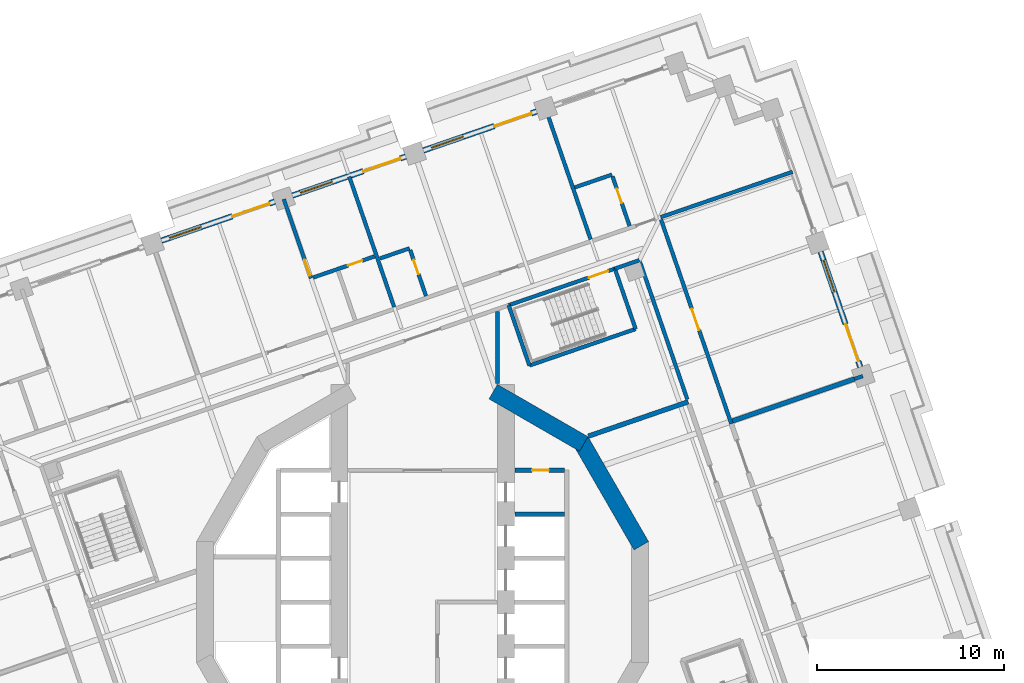
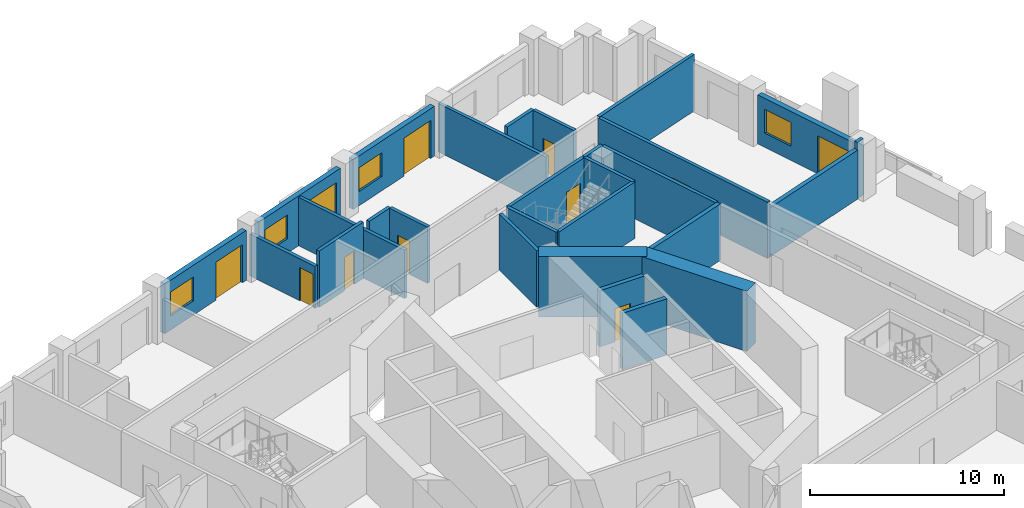
# One storey, part 9 of 19: 28 walls, 11 doors, 4 windows, 15 openings.
"""IFC4 building model written with IfcOpenShell, lengths in metres."""

import ifcopenshell
import ifcopenshell.guid

model = None  # the IFC model being written
_history = None  # IfcOwnerHistory: only IFC2X3 demands one
_inside = {}  # id of a spatial element -> (the spatial element, [elements in it])
_under = {}  # id of a project, library or spatial element -> (it, [spatial elements below it])
_declared = {}  # id of a project -> (the project, [libraries it declares])
_typed = {}  # id of a type object -> (the type object, [elements of that type])
_made_of = {}  # id of a material, layer set ... -> (it, [elements and type objects made of it])


def new_model(schema):
    """Start an empty IFC model of exactly this schema.

    Asked for "IFC4X3", IfcOpenShell would pick the latest addendum, in which some entities
    have other attributes; the version numbers below select the first issue.
    IFC2X3 requires an IfcOwnerHistory on every rooted entity: one is made here for all.
    """
    global model, _history
    if schema == "IFC4X3":
        model = ifcopenshell.file(schema_version=(4, 3, 0, 0))
    else:
        model = ifcopenshell.file(schema=schema)
    _inside.clear()
    _under.clear()
    _declared.clear()
    _typed.clear()
    _made_of.clear()
    _history = None
    if model.schema == "IFC2X3":
        org = make("IfcOrganization", Name="unknown")
        user = make(
            "IfcPersonAndOrganization",
            ThePerson=make("IfcPerson", FamilyName="unknown"),
            TheOrganization=org,
        )
        app = make(
            "IfcApplication",
            ApplicationDeveloper=org,
            Version="unknown",
            ApplicationFullName="unknown",
            ApplicationIdentifier="unknown",
        )
        _history = make(
            "IfcOwnerHistory",
            OwningUser=user,
            OwningApplication=app,
            ChangeAction="ADDED",
            CreationDate=0,
        )
    return model


def make(cls, **values):
    """One entity of the class cls with the attributes given. An attribute that is None is left unset."""
    return model.create_entity(
        cls, **{name: value for name, value in values.items() if value is not None}
    )


def rooted(cls, **values):
    """An entity with a GlobalId (a new one), such as an element, a storey or a relation."""
    return make(cls, GlobalId=ifcopenshell.guid.new(), OwnerHistory=_history, **values)


def si_unit(unit_type, name, prefix=None):
    """IfcSIUnit, for example si_unit("LENGTHUNIT", "METRE", prefix="MILLI")."""
    return make("IfcSIUnit", UnitType=unit_type, Prefix=prefix, Name=name)


def assignment(units):
    """IfcUnitAssignment: the units of a project."""
    return None if units is None else make("IfcUnitAssignment", Units=units)


def point(xyz):
    """IfcCartesianPoint."""
    return None if xyz is None else make("IfcCartesianPoint", Coordinates=xyz)


def direction(xyz):
    """IfcDirection."""
    return None if xyz is None else make("IfcDirection", DirectionRatios=xyz)


def frame(location, z_axis=None, x_axis=None):
    """IfcAxis2Placement3D, a coordinate frame: its origin and axes. An axis left out is left unset."""
    return make(
        "IfcAxis2Placement3D",
        Location=point(location),
        Axis=direction(z_axis),
        RefDirection=direction(x_axis),
    )


def frame_2d(location, x_axis=None):
    """IfcAxis2Placement2D, a coordinate frame in the plane: its origin and x axis."""
    return make(
        "IfcAxis2Placement2D", Location=point(location), RefDirection=direction(x_axis)
    )


def origin():
    """The frame at (0, 0, 0) with its axes left unset."""
    return frame((0.0, 0.0, 0.0))


def place(relative_to, where):
    """IfcLocalPlacement: puts the frame where relative to a parent placement (None: the world)."""
    return make(
        "IfcLocalPlacement", PlacementRelTo=relative_to, RelativePlacement=where
    )


def context(
    kind, dimensions, precision=None, world=None, true_north=None, identifier=None
):
    """IfcGeometricRepresentationContext, for example the 3D "Model" context."""
    return make(
        "IfcGeometricRepresentationContext",
        ContextIdentifier=identifier,
        ContextType=kind,
        CoordinateSpaceDimension=dimensions,
        Precision=precision,
        WorldCoordinateSystem=world,
        TrueNorth=true_north,
    )


def subcontext(parent, identifier, kind, view, scale=None):
    """IfcGeometricRepresentationSubContext, for example "Body" below "Model"."""
    return make(
        "IfcGeometricRepresentationSubContext",
        ContextIdentifier=identifier,
        ContextType=kind,
        ParentContext=parent,
        TargetScale=scale,
        TargetView=view,
    )


def project(units=None, contexts=None):
    """IfcProject with its units and contexts."""
    return rooted(
        "IfcProject",
        Name="project",
        RepresentationContexts=contexts,
        UnitsInContext=assignment(units),
    )


def spatial(cls, under=None, at=None, **own):
    """A site, building, storey or space (cls), placed at a placement, below another one or the project."""
    s = rooted(cls, ObjectPlacement=at, **own)
    if under is not None:
        _under.setdefault(under.id(), (under, []))[1].append(s)
    return s


def profile(cls, at=None, kind="AREA", **sizes):
    """A parametric profile (cls). Its sizes go by their IFC names, for example OverallWidth=200.0."""
    return make(cls, ProfileType=kind, Position=at, **sizes)


def rectangle(**sizes):
    """IfcRectangleProfileDef."""
    return profile("IfcRectangleProfileDef", **sizes)


def extrude(swept, where, along, depth):
    """IfcExtrudedAreaSolid: the profile swept, set in the frame where, extruded along a direction by depth."""
    return make(
        "IfcExtrudedAreaSolid",
        SweptArea=swept,
        Position=where,
        ExtrudedDirection=direction(along),
        Depth=depth,
    )


def shape(context_of_items, identifier, shape_type, items):
    """IfcShapeRepresentation: the items that make up one representation, for example the "Body"."""
    return make(
        "IfcShapeRepresentation",
        ContextOfItems=context_of_items,
        RepresentationIdentifier=identifier,
        RepresentationType=shape_type,
        Items=items,
    )


def material(Name=None, Category=None):
    """IfcMaterial."""
    return make("IfcMaterial", Name=Name, Category=Category)


def layer(
    of_material, thickness, ventilated=None, Name=None, Category=None, Priority=None
):
    """IfcMaterialLayer: one layer of a wall or slab, of a material (None: an air gap)."""
    return make(
        "IfcMaterialLayer",
        Material=of_material,
        LayerThickness=thickness,
        IsVentilated=ventilated,
        Name=Name,
        Category=Category,
        Priority=Priority,
    )


def layer_set(layers, Name=None):
    """IfcMaterialLayerSet."""
    return make("IfcMaterialLayerSet", MaterialLayers=layers, LayerSetName=Name)


def made_of(thing, what):
    """Note that an element or type object is made of a material, layer set ...; save() writes the relation."""
    if what is not None:
        _made_of.setdefault(what.id(), (what, []))[1].append(thing)
    return thing


def type_object(cls, material=None, **own):
    """A type object (cls), such as IfcWallType, which elements share."""
    return made_of(rooted(cls, **own), material)


def element(
    cls,
    number,
    at=None,
    inside=None,
    cuts=None,
    type_object=None,
    material=None,
    context=None,
    identifier="Body",
    shape_type=None,
    held_by="IfcProductDefinitionShape",
    body=None,
    shapes=None,
    **own,
):
    """One element of the class cls, such as IfcWall. Its Tag is "e" and its number.

    at: its placement. inside: the storey or other place that contains it. cuts: it is an
    opening in that element (IfcRelVoidsElement). A single representation is given by context,
    identifier, shape_type and body (its items); several are given by shapes. held_by: the class
    of the entity that holds the representations. save() writes the other relations.
    """
    e = rooted(cls, Tag="e%d" % number, ObjectPlacement=at, **own)
    if body is not None:
        shapes = [shape(context, identifier, shape_type, body)]
    if shapes is not None:
        e.Representation = make(held_by, Representations=shapes)
    if inside is not None:
        _inside.setdefault(inside.id(), (inside, []))[1].append(e)
    if cuts is not None:
        rooted(
            "IfcRelVoidsElement", RelatingBuildingElement=cuts, RelatedOpeningElement=e
        )
    if type_object is not None:
        _typed.setdefault(type_object.id(), (type_object, []))[1].append(e)
    return made_of(e, material)


def fill(opening, filler):
    """IfcRelFillsElement: the door or window that sits in an opening."""
    return rooted(
        "IfcRelFillsElement",
        RelatingOpeningElement=opening,
        RelatedBuildingElement=filler,
    )


def aggregate(whole, parts):
    """IfcRelAggregates: a whole, such as a stair, and the parts it consists of."""
    return rooted("IfcRelAggregates", RelatingObject=whole, RelatedObjects=parts)


def save(model, path):
    """Write the relations noted so far, then the file.

    IfcRelAggregates (storeys below a building ...), IfcRelContainedInSpatialStructure (elements
    in a storey), IfcRelDefinesByType, IfcRelAssociatesMaterial and IfcRelDeclares: one each for
    every whole, place, type object, material and project.
    """
    for whole, parts in _under.values():
        aggregate(whole, parts)
    for where, things in _inside.values():
        rooted(
            "IfcRelContainedInSpatialStructure",
            RelatedElements=things,
            RelatingStructure=where,
        )
    for kind, things in _typed.values():
        rooted("IfcRelDefinesByType", RelatedObjects=things, RelatingType=kind)
    for what, things in _made_of.values():
        rooted("IfcRelAssociatesMaterial", RelatedObjects=things, RelatingMaterial=what)
    for by, libraries in _declared.values():
        rooted("IfcRelDeclares", RelatingContext=by, RelatedDefinitions=libraries)
    model.write(path)


model = new_model("IFC4")

# Units and contexts
model_context = context("Model", 3, precision=1e-05, world=origin(), true_north=direction((0.0, 1.0)))
body_context = subcontext(model_context, "Body", "Model", "MODEL_VIEW")
ifc_project = project(units=[si_unit("LENGTHUNIT", "METRE"), si_unit("AREAUNIT", "SQUARE_METRE"), si_unit("VOLUMEUNIT", "CUBIC_METRE"), si_unit("PLANEANGLEUNIT", "RADIAN"), si_unit("MASSUNIT", "GRAM", prefix="KILO")], contexts=[model_context])

# Site, building, storey
site_placement = place(None, origin())
site = spatial("IfcSite", under=ifc_project, at=site_placement, CompositionType="ELEMENT")
building_placement = place(site_placement, origin())
building = spatial("IfcBuilding", under=site, at=building_placement, Name="Cantera Rosa Tower", CompositionType="ELEMENT")
storey_placement = place(building_placement, frame((0.0, 0.0, 111.699951171875)))
storey = spatial("IfcBuildingStorey", under=building, at=storey_placement, Name="L22", CompositionType="ELEMENT", Elevation=111.699951171875)

# Walls
ifc_material_1 = material(Name="Gypsum board partition")
ifc_layer_1 = layer(ifc_material_1, 0.199951171875)
ifc_layer_set_1 = layer_set([ifc_layer_1], Name="CORRIDOR WALL 200 H3550")
wall_type_1 = type_object("IfcWallType", Name="CORRIDOR WALL 200 H3550", PredefinedType="PARTITIONING", material=ifc_layer_set_1)
wall_1_placement = place(storey_placement, frame((4.0, 15.51513671875, 0.0), z_axis=(0.0, 0.0, 1.0), x_axis=(0.0, -1.0, 0.0)))
element("IfcWall", 1, at=wall_1_placement, inside=storey, type_object=wall_type_1, Name="CORRIDOR WALL L22-070", PredefinedType="PARTITIONING", context=body_context, shape_type="SweptSolid", body=[
    extrude(rectangle(XDim=3.847900390625, YDim=0.199951171875, at=frame_2d((1.923828125, 0.0))), origin(), (0.0, 0.0, 1.0), 3.550048828125),
])
wall_2_placement = place(storey_placement, frame((11.583984375, 18.2666015625, 0.0), z_axis=(0.0, 0.0, 1.0), x_axis=(-0.945503834334, -0.325610963052, 0.0)))
element("IfcWall", 2, at=wall_2_placement, inside=storey, type_object=wall_type_1, Name="CORRIDOR WALL L22-092", PredefinedType="PARTITIONING", context=body_context, shape_type="SweptSolid", body=[
    extrude(rectangle(XDim=1.38720703125, YDim=0.199951171875, at=frame_2d((0.693603515625, 0.0))), origin(), (0.0, 0.0, 1.0), 3.550048828125),
])
wall_3_placement = place(storey_placement, frame((14.14306640625, 10.834716796875, 0.0), z_axis=(0.0, 0.0, 1.0), x_axis=(-0.325556282684, 0.945522663295, 0.0)))
element("IfcWall", 3, at=wall_3_placement, inside=storey, type_object=wall_type_1, Name="CORRIDOR WALL L22-096", PredefinedType="PARTITIONING", context=body_context, shape_type="SweptSolid", body=[
    extrude(rectangle(XDim=7.76025390625, YDim=0.199951171875, at=frame_2d((3.880126953125, 0.0))), origin(), (0.0, 0.0, 1.0), 3.550048828125),
])

# Wall, opening, door
wall_4_placement = place(storey_placement, frame((16.497802734375, 9.525146484375, 0.0), z_axis=(0.0, 0.0, 1.0), x_axis=(-0.325576165676, 0.945515817077, 0.0)))
wall_4 = element("IfcWall", 4, at=wall_4_placement, inside=storey, type_object=wall_type_1, Name="CORRIDOR WALL L22-108", PredefinedType="PARTITIONING", context=body_context, shape_type="SweptSolid", body=[
    extrude(rectangle(XDim=11.544921875, YDim=0.199951171875, at=frame_2d((5.7724609375, 0.0))), origin(), (0.0, 0.0, 1.0), 3.550048828125),
])
opening_1_placement = place(wall_4_placement, frame((5.294921875, 0.0, 0.0)))
opening_1 = element("IfcOpeningElement", 5, at=opening_1_placement, cuts=wall_4, Name="Opening L22-014", PredefinedType="OPENING", context=body_context, shape_type="SweptSolid", body=[
    extrude(rectangle(XDim=1.199951171875, YDim=2.10009765625, at=frame_2d((0.60009765625, 1.050048828125))), frame((0.0, 0.10986328125, 0.0), z_axis=(0.0, -1.0, 0.0), x_axis=(1.0, 0.0, 0.0)), (0.0, 0.0, 1.0), 0.219970703125),
])
ifc_material_2 = material(Name="Timber door leaf", Category="wood")
door_type_1 = type_object("IfcDoorType", Name="ROOM DOOR 1200x2100", OperationType="NOTDEFINED", PredefinedType="DOOR", material=ifc_material_2)
door_1_placement = place(opening_1_placement, origin())
door_1 = element("IfcDoor", 6, at=door_1_placement, inside=storey, type_object=door_type_1, Name="DOOR L22-014", OperationType="NOTDEFINED", OverallHeight=2.10009765625, OverallWidth=1.199951171875, PredefinedType="DOOR", context=body_context, shape_type="SweptSolid", body=[
    extrude(rectangle(XDim=1.199951171875, YDim=2.10009765625, at=frame_2d((0.60009765625, 1.050048828125))), frame((0.0, 0.02490234375, 0.0), z_axis=(0.0, -1.0, 0.0), x_axis=(1.0, 0.0, 0.0)), (0.0, 0.0, 1.0), 0.050048828125),
])
fill(opening_1, door_1)

# Wall, openings, window, door
ifc_material_3 = material(Name="Hollow clay masonry with cantera stone cladding", Category="masonry")
ifc_layer_2 = layer(ifc_material_3, 0.300048828125)
ifc_layer_set_2 = layer_set([ifc_layer_2], Name="EW-LOGGIA 300 H3090")
wall_type_2 = type_object("IfcWallType", Name="EW-LOGGIA 300 H3090", PredefinedType="SOLIDWALL", material=ifc_layer_set_2)
wall_5_placement = place(storey_placement, frame((23.3857421875, 12.557861328125, 0.0), z_axis=(0.0, 0.0, 1.0), x_axis=(-0.325580990241, 0.945514155787, 0.0)))
wall_5 = element("IfcWall", 7, at=wall_5_placement, inside=storey, type_object=wall_type_2, Name="EN-L22-W04", PredefinedType="SOLIDWALL", context=body_context, shape_type="SweptSolid", body=[
    extrude(rectangle(XDim=6.52001953125, YDim=0.300048828125, at=frame_2d((3.260009765625, 0.0))), origin(), (0.0, 0.0, 1.0), 3.090087890625),
])
opening_2_placement = place(wall_5_placement, frame((0.330078125, 0.0, 0.0)))
opening_2 = element("IfcOpeningElement", 8, at=opening_2_placement, cuts=wall_5, Name="Opening L22-TD03", PredefinedType="OPENING", context=body_context, shape_type="SweptSolid", body=[
    extrude(rectangle(XDim=2.10009765625, YDim=2.39990234375, at=frame_2d((1.050048828125, 1.199951171875))), frame((0.0, 0.159912109375, 0.0), z_axis=(0.0, -1.0, 0.0), x_axis=(1.0, 0.0, 0.0)), (0.0, 0.0, 1.0), 0.320068359375),
])
opening_3_placement = place(wall_5_placement, frame((4.239990234375, 0.0, 0.89990234375)))
opening_3 = element("IfcOpeningElement", 9, at=opening_3_placement, cuts=wall_5, Name="Opening L22-W04", PredefinedType="OPENING", context=body_context, shape_type="SweptSolid", body=[
    extrude(rectangle(XDim=1.800048828125, YDim=1.5, at=frame_2d((0.89990234375, 0.75))), frame((0.0, 0.159912109375, 0.0), z_axis=(0.0, -1.0, 0.0), x_axis=(1.0, 0.0, 0.0)), (0.0, 0.0, 1.0), 0.320068359375),
])
ifc_material_4 = material(Name="Aluminium frame with clear glass", Category="aluminium")
window_type = type_object("IfcWindowType", Name="Hotel room window 1800x1500", PartitioningType="DOUBLE_PANEL_VERTICAL", PredefinedType="WINDOW", material=ifc_material_4)
window_1_placement = place(opening_3_placement, origin())
window_1 = element("IfcWindow", 10, at=window_1_placement, inside=storey, type_object=window_type, Name="WINDOW L22-W04", OverallHeight=1.5, OverallWidth=1.800048828125, PartitioningType="SINGLE_PANEL", PredefinedType="WINDOW", context=body_context, shape_type="SweptSolid", body=[
    extrude(rectangle(XDim=1.800048828125, YDim=1.5, at=frame_2d((0.89990234375, 0.75))), frame((0.0, 0.030029296875, 0.0), z_axis=(0.0, -1.0, 0.0), x_axis=(1.0, 0.0, 0.0)), (0.0, 0.0, 1.0), 0.06005859375),
])
fill(opening_3, window_1)
ifc_material_5 = material(Name="Aluminium frame with clear glass", Category="aluminium")
door_type_2 = type_object("IfcDoorType", Name="TD-H 2100x2400", OperationType="NOTDEFINED", PredefinedType="DOOR", material=ifc_material_5)
door_2_placement = place(opening_2_placement, origin())
door_2 = element("IfcDoor", 11, at=door_2_placement, inside=storey, type_object=door_type_2, Name="LOGGIA DOOR L22-TD03", OperationType="SLIDING_TO_LEFT", OverallHeight=2.39990234375, OverallWidth=2.10009765625, PredefinedType="DOOR", context=body_context, shape_type="SweptSolid", body=[
    extrude(rectangle(XDim=2.10009765625, YDim=2.39990234375, at=frame_2d((1.050048828125, 1.199951171875))), frame((0.0, 0.02490234375, 0.0), z_axis=(0.0, -1.0, 0.0), x_axis=(1.0, 0.0, 0.0)), (0.0, 0.0, 1.0), 0.050048828125),
])
fill(opening_2, door_2)

ifc_material_6 = material(Name="Hollow clay masonry with cantera stone cladding", Category="masonry")
ifc_layer_3 = layer(ifc_material_6, 0.300048828125)
ifc_layer_set_3 = layer_set([ifc_layer_3], Name="EW-LOGGIA 300 H3140")
wall_type_3 = type_object("IfcWallType", Name="EW-LOGGIA 300 H3140", PredefinedType="SOLIDWALL", material=ifc_layer_set_3)
wall_6_placement = place(storey_placement, frame((6.097900390625, 26.21337890625, 0.0), z_axis=(0.0, 0.0, 1.0), x_axis=(-0.945524496524, -0.325550958337, 0.0)))
wall_6 = element("IfcWall", 12, at=wall_6_placement, inside=storey, type_object=wall_type_3, Name="EN-L22-W09", PredefinedType="SOLIDWALL", context=body_context, shape_type="SweptSolid", body=[
    extrude(rectangle(XDim=6.39990234375, YDim=0.300048828125, at=frame_2d((3.199951171875, 0.0))), origin(), (0.0, 0.0, 1.0), 3.14013671875),
])
opening_4_placement = place(wall_6_placement, frame((0.300048828125, 0.0, 0.0)))
opening_4 = element("IfcOpeningElement", 13, at=opening_4_placement, cuts=wall_6, Name="Opening L22-TD09", PredefinedType="OPENING", context=body_context, shape_type="SweptSolid", body=[
    extrude(rectangle(XDim=2.10009765625, YDim=2.39990234375, at=frame_2d((1.050048828125, 1.199951171875))), frame((0.0, 0.159912109375, 0.0), z_axis=(0.0, -1.0, 0.0), x_axis=(1.0, 0.0, 0.0)), (0.0, 0.0, 1.0), 0.320068359375),
])
opening_5_placement = place(wall_6_placement, frame((4.14990234375, 0.0, 0.89990234375)))
opening_5 = element("IfcOpeningElement", 14, at=opening_5_placement, cuts=wall_6, Name="Opening L22-W10", PredefinedType="OPENING", context=body_context, shape_type="SweptSolid", body=[
    extrude(rectangle(XDim=1.800048828125, YDim=1.5, at=frame_2d((0.89990234375, 0.75))), frame((0.0, 0.159912109375, 0.0), z_axis=(0.0, -1.0, 0.0), x_axis=(1.0, 0.0, 0.0)), (0.0, 0.0, 1.0), 0.320068359375),
])
window_2_placement = place(opening_5_placement, origin())
window_2 = element("IfcWindow", 15, at=window_2_placement, inside=storey, type_object=window_type, Name="WINDOW L22-W10", OverallHeight=1.5, OverallWidth=1.800048828125, PartitioningType="SINGLE_PANEL", PredefinedType="WINDOW", context=body_context, shape_type="SweptSolid", body=[
    extrude(rectangle(XDim=1.800048828125, YDim=1.5, at=frame_2d((0.89990234375, 0.75))), frame((0.0, 0.030029296875, 0.0), z_axis=(0.0, -1.0, 0.0), x_axis=(1.0, 0.0, 0.0)), (0.0, 0.0, 1.0), 0.06005859375),
])
fill(opening_5, window_2)
door_3_placement = place(opening_4_placement, origin())
door_3 = element("IfcDoor", 16, at=door_3_placement, inside=storey, type_object=door_type_2, Name="LOGGIA DOOR L22-TD09", OperationType="SLIDING_TO_LEFT", OverallHeight=2.39990234375, OverallWidth=2.10009765625, PredefinedType="DOOR", context=body_context, shape_type="SweptSolid", body=[
    extrude(rectangle(XDim=2.10009765625, YDim=2.39990234375, at=frame_2d((1.050048828125, 1.199951171875))), frame((0.0, 0.02490234375, 0.0), z_axis=(0.0, -1.0, 0.0), x_axis=(1.0, 0.0, 0.0)), (0.0, 0.0, 1.0), 0.050048828125),
])
fill(opening_4, door_3)

wall_7_placement = place(storey_placement, frame((-0.89892578125, 23.80419921875, 0.0), z_axis=(0.0, 0.0, 1.0), x_axis=(-0.945524496524, -0.325550958337, 0.0)))
wall_7 = element("IfcWall", 17, at=wall_7_placement, inside=storey, type_object=wall_type_3, Name="EN-L22-W10", PredefinedType="SOLIDWALL", context=body_context, shape_type="SweptSolid", body=[
    extrude(rectangle(XDim=6.39990234375, YDim=0.300048828125, at=frame_2d((3.199951171875, 0.0))), origin(), (0.0, 0.0, 1.0), 3.14013671875),
])
opening_6_placement = place(wall_7_placement, frame((0.300048828125, 0.0, 0.0)))
opening_6 = element("IfcOpeningElement", 18, at=opening_6_placement, cuts=wall_7, Name="Opening L22-TD11", PredefinedType="OPENING", context=body_context, shape_type="SweptSolid", body=[
    extrude(rectangle(XDim=2.10009765625, YDim=2.39990234375, at=frame_2d((1.050048828125, 1.199951171875))), frame((0.0, 0.159912109375, 0.0), z_axis=(0.0, -1.0, 0.0), x_axis=(1.0, 0.0, 0.0)), (0.0, 0.0, 1.0), 0.320068359375),
])
opening_7_placement = place(wall_7_placement, frame((4.14990234375, 0.0, 0.89990234375)))
opening_7 = element("IfcOpeningElement", 19, at=opening_7_placement, cuts=wall_7, Name="Opening L22-W12", PredefinedType="OPENING", context=body_context, shape_type="SweptSolid", body=[
    extrude(rectangle(XDim=1.800048828125, YDim=1.5, at=frame_2d((0.89990234375, 0.75))), frame((0.0, 0.159912109375, 0.0), z_axis=(0.0, -1.0, 0.0), x_axis=(1.0, 0.0, 0.0)), (0.0, 0.0, 1.0), 0.320068359375),
])
window_3_placement = place(opening_7_placement, origin())
window_3 = element("IfcWindow", 20, at=window_3_placement, inside=storey, type_object=window_type, Name="WINDOW L22-W12", OverallHeight=1.5, OverallWidth=1.800048828125, PartitioningType="SINGLE_PANEL", PredefinedType="WINDOW", context=body_context, shape_type="SweptSolid", body=[
    extrude(rectangle(XDim=1.800048828125, YDim=1.5, at=frame_2d((0.89990234375, 0.75))), frame((0.0, 0.030029296875, 0.0), z_axis=(0.0, -1.0, 0.0), x_axis=(1.0, 0.0, 0.0)), (0.0, 0.0, 1.0), 0.06005859375),
])
fill(opening_7, window_3)
door_4_placement = place(opening_6_placement, origin())
door_4 = element("IfcDoor", 21, at=door_4_placement, inside=storey, type_object=door_type_2, Name="LOGGIA DOOR L22-TD11", OperationType="SLIDING_TO_LEFT", OverallHeight=2.39990234375, OverallWidth=2.10009765625, PredefinedType="DOOR", context=body_context, shape_type="SweptSolid", body=[
    extrude(rectangle(XDim=2.10009765625, YDim=2.39990234375, at=frame_2d((1.050048828125, 1.199951171875))), frame((0.0, 0.02490234375, 0.0), z_axis=(0.0, -1.0, 0.0), x_axis=(1.0, 0.0, 0.0)), (0.0, 0.0, 1.0), 0.050048828125),
])
fill(opening_6, door_4)

wall_8_placement = place(storey_placement, frame((-7.895751953125, 21.39501953125, 0.0), z_axis=(0.0, 0.0, 1.0), x_axis=(-0.945524496524, -0.325550958337, 0.0)))
wall_8 = element("IfcWall", 22, at=wall_8_placement, inside=storey, type_object=wall_type_3, Name="EN-L22-W11", PredefinedType="SOLIDWALL", context=body_context, shape_type="SweptSolid", body=[
    extrude(rectangle(XDim=6.39990234375, YDim=0.300048828125, at=frame_2d((3.199951171875, 0.0))), origin(), (0.0, 0.0, 1.0), 3.14013671875),
])
opening_8_placement = place(wall_8_placement, frame((0.300048828125, 0.0, 0.0)))
opening_8 = element("IfcOpeningElement", 23, at=opening_8_placement, cuts=wall_8, Name="Opening L22-TD13", PredefinedType="OPENING", context=body_context, shape_type="SweptSolid", body=[
    extrude(rectangle(XDim=2.10009765625, YDim=2.39990234375, at=frame_2d((1.050048828125, 1.199951171875))), frame((0.0, 0.159912109375, 0.0), z_axis=(0.0, -1.0, 0.0), x_axis=(1.0, 0.0, 0.0)), (0.0, 0.0, 1.0), 0.320068359375),
])
opening_9_placement = place(wall_8_placement, frame((4.14990234375, 0.0, 0.89990234375)))
opening_9 = element("IfcOpeningElement", 24, at=opening_9_placement, cuts=wall_8, Name="Opening L22-W14", PredefinedType="OPENING", context=body_context, shape_type="SweptSolid", body=[
    extrude(rectangle(XDim=1.800048828125, YDim=1.5, at=frame_2d((0.89990234375, 0.75))), frame((0.0, 0.159912109375, 0.0), z_axis=(0.0, -1.0, 0.0), x_axis=(1.0, 0.0, 0.0)), (0.0, 0.0, 1.0), 0.320068359375),
])
window_4_placement = place(opening_9_placement, origin())
window_4 = element("IfcWindow", 25, at=window_4_placement, inside=storey, type_object=window_type, Name="WINDOW L22-W14", OverallHeight=1.5, OverallWidth=1.800048828125, PartitioningType="SINGLE_PANEL", PredefinedType="WINDOW", context=body_context, shape_type="SweptSolid", body=[
    extrude(rectangle(XDim=1.800048828125, YDim=1.5, at=frame_2d((0.89990234375, 0.75))), frame((0.0, 0.030029296875, 0.0), z_axis=(0.0, -1.0, 0.0), x_axis=(1.0, 0.0, 0.0)), (0.0, 0.0, 1.0), 0.06005859375),
])
fill(opening_9, window_4)
door_5_placement = place(opening_8_placement, origin())
door_5 = element("IfcDoor", 26, at=door_5_placement, inside=storey, type_object=door_type_2, Name="LOGGIA DOOR L22-TD13", OperationType="SLIDING_TO_LEFT", OverallHeight=2.39990234375, OverallWidth=2.10009765625, PredefinedType="DOOR", context=body_context, shape_type="SweptSolid", body=[
    extrude(rectangle(XDim=2.10009765625, YDim=2.39990234375, at=frame_2d((1.050048828125, 1.199951171875))), frame((0.0, 0.02490234375, 0.0), z_axis=(0.0, -1.0, 0.0), x_axis=(1.0, 0.0, 0.0)), (0.0, 0.0, 1.0), 0.050048828125),
])
fill(opening_8, door_5)

# Wall
ifc_material_7 = material(Name="Concrete C40/50", Category="concrete")
ifc_layer_4 = layer(ifc_material_7, 0.25)
ifc_layer_set_4 = layer_set([ifc_layer_4], Name="EW-POCKET CHEEK 250 H3090")
wall_type_4 = type_object("IfcWallType", Name="EW-POCKET CHEEK 250 H3090", PredefinedType="SOLIDWALL", material=ifc_layer_set_4)
wall_9_placement = place(storey_placement, frame((23.07568359375, 11.92236328125, 0.0), z_axis=(0.0, 0.0, 1.0), x_axis=(-0.945512768123, -0.325585020105, 0.0)))
element("IfcWall", 27, at=wall_9_placement, inside=storey, type_object=wall_type_4, Name="POCKET CHEEK B L22", PredefinedType="SOLIDWALL", context=body_context, shape_type="SweptSolid", body=[
    extrude(rectangle(XDim=6.900146484375, YDim=0.25, at=frame_2d((3.4501953125, 0.0))), origin(), (0.0, 0.0, 1.0), 3.090087890625),
])

# Wall, opening, door
ifc_material_8 = material(Name="Gypsum board partition")
ifc_layer_5 = layer(ifc_material_8, 0.199951171875)
ifc_layer_set_5 = layer_set([ifc_layer_5], Name="PARTITION 200 H2650")
wall_type_5 = type_object("IfcWallType", Name="PARTITION 200 H2650", PredefinedType="PARTITIONING", material=ifc_layer_set_5)
wall_10_placement = place(storey_placement, frame((-5.9580078125, 17.302978515625, 0.0), z_axis=(0.0, 0.0, 1.0), x_axis=(-0.325519343344, 0.945535381204, 0.0)))
wall_10 = element("IfcWall", 28, at=wall_10_placement, inside=storey, type_object=wall_type_5, Name="PARTITION L22-046", PredefinedType="PARTITIONING", context=body_context, shape_type="SweptSolid", body=[
    extrude(rectangle(XDim=4.469970703125, YDim=0.199951171875, at=frame_2d((2.23486328125, 0.0))), origin(), (0.0, 0.0, 1.0), 2.650146484375),
])
opening_10_placement = place(wall_10_placement, frame((0.14990234375, 0.0, 0.0)))
opening_10 = element("IfcOpeningElement", 29, at=opening_10_placement, cuts=wall_10, Name="Opening L22-020", PredefinedType="OPENING", context=body_context, shape_type="SweptSolid", body=[
    extrude(rectangle(XDim=0.89990234375, YDim=2.10009765625, at=frame_2d((0.449951171875, 1.050048828125))), frame((0.0, 0.10986328125, 0.0), z_axis=(0.0, -1.0, 0.0), x_axis=(1.0, 0.0, 0.0)), (0.0, 0.0, 1.0), 0.219970703125),
])
ifc_material_9 = material(Name="Timber door leaf", Category="wood")
door_type_3 = type_object("IfcDoorType", Name="ROOM DOOR 900x2100", OperationType="NOTDEFINED", PredefinedType="DOOR", material=ifc_material_9)
door_6_placement = place(opening_10_placement, origin())
door_6 = element("IfcDoor", 30, at=door_6_placement, inside=storey, type_object=door_type_3, Name="DOOR L22-020", OperationType="NOTDEFINED", OverallHeight=2.10009765625, OverallWidth=0.89990234375, PredefinedType="DOOR", context=body_context, shape_type="SweptSolid", body=[
    extrude(rectangle(XDim=0.89990234375, YDim=2.10009765625, at=frame_2d((0.449951171875, 1.050048828125))), frame((0.0, 0.02490234375, 0.0), z_axis=(0.0, -1.0, 0.0), x_axis=(1.0, 0.0, 0.0)), (0.0, 0.0, 1.0), 0.050048828125),
])
fill(opening_10, door_6)

ifc_material_10 = material(Name="Gypsum board partition")
ifc_layer_6 = layer(ifc_material_10, 0.199951171875)
ifc_layer_set_6 = layer_set([ifc_layer_6], Name="PARTITION 200 H3550")
wall_type_6 = type_object("IfcWallType", Name="PARTITION 200 H3550", PredefinedType="PARTITIONING", material=ifc_layer_set_6)
wall_11_placement = place(storey_placement, frame((-2.572998046875, 18.468505859375, 0.0), z_axis=(0.0, 0.0, 1.0), x_axis=(-0.945518358783, -0.325568784136, 0.0)))
wall_11 = element("IfcWall", 31, at=wall_11_placement, inside=storey, type_object=wall_type_6, Name="PARTITION L22-054", PredefinedType="PARTITIONING", context=body_context, shape_type="SweptSolid", body=[
    extrude(rectangle(XDim=3.4599609375, YDim=0.199951171875, at=frame_2d((1.72998046875, 0.0))), origin(), (0.0, 0.0, 1.0), 3.550048828125),
])
opening_11_placement = place(wall_11_placement, frame((0.68994140625, 0.0, 0.0)))
opening_11 = element("IfcOpeningElement", 32, at=opening_11_placement, cuts=wall_11, Name="Opening L22-021", PredefinedType="OPENING", context=body_context, shape_type="SweptSolid", body=[
    extrude(rectangle(XDim=0.800048828125, YDim=2.10009765625, at=frame_2d((0.39990234375, 1.050048828125))), frame((0.0, 0.10986328125, 0.0), z_axis=(0.0, -1.0, 0.0), x_axis=(1.0, 0.0, 0.0)), (0.0, 0.0, 1.0), 0.219970703125),
])
ifc_material_11 = material(Name="Timber door leaf", Category="wood")
door_type_4 = type_object("IfcDoorType", Name="BATHROOM DOOR 800x2100", OperationType="NOTDEFINED", PredefinedType="DOOR", material=ifc_material_11)
door_7_placement = place(opening_11_placement, origin())
door_7 = element("IfcDoor", 33, at=door_7_placement, inside=storey, type_object=door_type_4, Name="DOOR L22-021", OperationType="NOTDEFINED", OverallHeight=2.10009765625, OverallWidth=0.800048828125, PredefinedType="DOOR", context=body_context, shape_type="SweptSolid", body=[
    extrude(rectangle(XDim=0.800048828125, YDim=2.10009765625, at=frame_2d((0.39990234375, 1.050048828125))), frame((0.0, 0.02490234375, 0.0), z_axis=(0.0, -1.0, 0.0), x_axis=(1.0, 0.0, 0.0)), (0.0, 0.0, 1.0), 0.050048828125),
])
fill(opening_11, door_7)

# Wall
wall_12_placement = place(storey_placement, frame((-2.281005859375, 18.357666015625, 0.0), z_axis=(0.0, 0.0, 1.0), x_axis=(0.945542718091, 0.325498031124, 0.0)))
element("IfcWall", 34, at=wall_12_placement, inside=storey, type_object=wall_type_6, Name="PARTITION L22-055", PredefinedType="PARTITIONING", context=body_context, shape_type="SweptSolid", body=[
    extrude(rectangle(XDim=1.68017578125, YDim=0.199951171875, at=frame_2d((0.840087890625, 0.0))), origin(), (0.0, 0.0, 1.0), 3.550048828125),
])

# Wall, opening, door
wall_13_placement = place(storey_placement, frame((-0.659912109375, 18.81005859375, 0.0), z_axis=(0.0, 0.0, 1.0), x_axis=(0.325536334257, -0.945529531574, 0.0)))
wall_13 = element("IfcWall", 35, at=wall_13_placement, inside=storey, type_object=wall_type_6, Name="PARTITION L22-058", PredefinedType="PARTITIONING", context=body_context, shape_type="SweptSolid", body=[
    extrude(rectangle(XDim=2.60009765625, YDim=0.199951171875, at=frame_2d((1.300048828125, 0.0))), origin(), (0.0, 0.0, 1.0), 3.550048828125),
])
opening_12_placement = place(wall_13_placement, frame((0.56396484375, 0.0, 0.0)))
opening_12 = element("IfcOpeningElement", 36, at=opening_12_placement, cuts=wall_13, Name="Opening L22-018", PredefinedType="OPENING", context=body_context, shape_type="SweptSolid", body=[
    extrude(rectangle(XDim=0.800048828125, YDim=2.10009765625, at=frame_2d((0.39990234375, 1.050048828125))), frame((0.0, 0.10986328125, 0.0), z_axis=(0.0, -1.0, 0.0), x_axis=(1.0, 0.0, 0.0)), (0.0, 0.0, 1.0), 0.219970703125),
])
door_8_placement = place(opening_12_placement, origin())
door_8 = element("IfcDoor", 37, at=door_8_placement, inside=storey, type_object=door_type_4, Name="DOOR L22-018", OperationType="NOTDEFINED", OverallHeight=2.10009765625, OverallWidth=0.800048828125, PredefinedType="DOOR", context=body_context, shape_type="SweptSolid", body=[
    extrude(rectangle(XDim=0.800048828125, YDim=2.10009765625, at=frame_2d((0.39990234375, 1.050048828125))), frame((0.0, 0.02490234375, 0.0), z_axis=(0.0, -1.0, 0.0), x_axis=(1.0, 0.0, 0.0)), (0.0, 0.0, 1.0), 0.050048828125),
])
fill(opening_12, door_8)

# Wall
wall_14_placement = place(storey_placement, frame((8.13037109375, 22.154052734375, 0.0), z_axis=(0.0, 0.0, 1.0), x_axis=(0.945533479579, 0.32552486694, 0.0)))
element("IfcWall", 38, at=wall_14_placement, inside=storey, type_object=wall_type_6, Name="PARTITION L22-085", PredefinedType="PARTITIONING", context=body_context, shape_type="SweptSolid", body=[
    extrude(rectangle(XDim=2.099853515625, YDim=0.199951171875, at=frame_2d((1.0498046875, 0.0))), origin(), (0.0, 0.0, 1.0), 3.550048828125),
])

# Wall, opening, door
wall_15_placement = place(storey_placement, frame((10.1484375, 22.7431640625, 0.0), z_axis=(0.0, 0.0, 1.0), x_axis=(0.325576835135, -0.945515586558, 0.0)))
wall_15 = element("IfcWall", 39, at=wall_15_placement, inside=storey, type_object=wall_type_6, Name="PARTITION L22-088", PredefinedType="PARTITIONING", context=body_context, shape_type="SweptSolid", body=[
    extrude(rectangle(XDim=2.800048828125, YDim=0.199951171875, at=frame_2d((1.39990234375, 0.0))), origin(), (0.0, 0.0, 1.0), 3.550048828125),
])
opening_13_placement = place(wall_15_placement, frame((0.699951171875, 0.0, 0.0)))
opening_13 = element("IfcOpeningElement", 40, at=opening_13_placement, cuts=wall_15, Name="Opening L22-026", PredefinedType="OPENING", context=body_context, shape_type="SweptSolid", body=[
    extrude(rectangle(XDim=0.800048828125, YDim=2.10009765625, at=frame_2d((0.39990234375, 1.050048828125))), frame((0.0, 0.10986328125, 0.0), z_axis=(0.0, -1.0, 0.0), x_axis=(1.0, 0.0, 0.0)), (0.0, 0.0, 1.0), 0.219970703125),
])
door_9_placement = place(opening_13_placement, origin())
door_9 = element("IfcDoor", 41, at=door_9_placement, inside=storey, type_object=door_type_4, Name="DOOR L22-026", OperationType="NOTDEFINED", OverallHeight=2.10009765625, OverallWidth=0.800048828125, PredefinedType="DOOR", context=body_context, shape_type="SweptSolid", body=[
    extrude(rectangle(XDim=0.800048828125, YDim=2.10009765625, at=frame_2d((0.39990234375, 1.050048828125))), frame((0.0, 0.02490234375, 0.0), z_axis=(0.0, -1.0, 0.0), x_axis=(1.0, 0.0, 0.0)), (0.0, 0.0, 1.0), 0.050048828125),
])
fill(opening_13, door_9)

# Walls
wall_16_placement = place(storey_placement, frame((23.52001953125, 12.0751953125, 0.0), z_axis=(0.0, 0.0, 1.0), x_axis=(-0.945626684637, -0.325254013507, 0.0)))
element("IfcWall", 42, at=wall_16_placement, inside=storey, type_object=wall_type_6, Name="PARTITION L22-109", PredefinedType="PARTITIONING", context=body_context, shape_type="SweptSolid", body=[
    extrude(rectangle(XDim=0.469970703125, YDim=0.199951171875, at=frame_2d((0.23486328125, 0.0))), origin(), (0.0, 0.0, 1.0), 3.550048828125),
])
ifc_material_12 = material(Name="Gypsum board partition")
ifc_layer_7 = layer(ifc_material_12, 0.199951171875)
ifc_layer_set_7 = layer_set([ifc_layer_7], Name="PARTY WALL 200 H3050")
wall_type_7 = type_object("IfcWallType", Name="PARTY WALL 200 H3050", PredefinedType="PARTITIONING", material=ifc_layer_set_7)
for number, where, z_axis, x_axis, name in (
    (43, (-1.515380859375, 15.765625, 0.0), (0.0, 0.0, 1.0), (-0.325563917555, 0.945520034471, 0.0), "PARTY WALL L22-057"),
    (44, (6.58056640625, 26.347900390625, 0.0), (0.0, 0.0, 1.0), (0.325563917555, -0.945520034471, 0.0), "PARTY WALL L22-077"),
):
    element("IfcWall", number, at=place(storey_placement, frame(where, z_axis=z_axis, x_axis=x_axis)), inside=storey, type_object=wall_type_7, Name=name, PredefinedType="PARTITIONING", context=body_context, shape_type="SweptSolid", body=[
        extrude(rectangle(XDim=7.3701171875, YDim=0.199951171875, at=frame_2d((3.68505859375, 0.0))), origin(), (0.0, 0.0, 1.0), 3.050048828125),
    ])
ifc_material_13 = material(Name="Gypsum board partition")
ifc_layer_8 = layer(ifc_material_13, 0.199951171875)
ifc_layer_set_8 = layer_set([ifc_layer_8], Name="PARTY WALL 200 H3550")
wall_type_8 = type_object("IfcWallType", Name="PARTY WALL 200 H3550", PredefinedType="PARTITIONING", material=ifc_layer_set_8)
wall_17_placement = place(storey_placement, frame((12.718994140625, 20.56103515625, 0.0), z_axis=(0.0, 0.0, 1.0), x_axis=(0.945513938048, 0.325581622574, 0.0)))
element("IfcWall", 45, at=wall_17_placement, inside=storey, type_object=wall_type_8, Name="PARTY WALL L22-094", PredefinedType="PARTITIONING", context=body_context, shape_type="SweptSolid", body=[
    extrude(rectangle(XDim=7.449951171875, YDim=0.199951171875, at=frame_2d((3.72509765625, 0.0))), origin(), (0.0, 0.0, 1.0), 3.550048828125),
])
ifc_material_14 = material(Name="Concrete C70/85", Category="concrete")
ifc_layer_9 = layer(ifc_material_14, 0.89990234375)
ifc_layer_set_9 = layer_set([ifc_layer_9], Name="RC CORE WALL 900 C70/85")
wall_type_9 = type_object("IfcWallType", Name="RC CORE WALL 900 C70/85", PredefinedType="SHEAR", material=ifc_layer_set_9)
wall_18_placement = place(storey_placement, frame((3.77490234375, 11.242919921875, 0.0), z_axis=(0.0, 0.0, 1.0), x_axis=(0.866026961591, -0.49999730179, 0.0)))
element("IfcWall", 46, at=wall_18_placement, inside=storey, type_object=wall_type_9, Name="CW-E1 L22", PredefinedType="SHEAR", context=body_context, shape_type="SweptSolid", body=[
    extrude(rectangle(XDim=5.58740234375, YDim=0.89990234375, at=frame_2d((2.793701171875, 0.0))), origin(), (0.0, 0.0, 1.0), 3.800048828125),
])
wall_19_placement = place(storey_placement, frame((8.44921875, 8.61376953125, 0.0), z_axis=(0.0, 0.0, 1.0), x_axis=(0.499990282633, -0.866031014036, 0.0)))
element("IfcWall", 47, at=wall_19_placement, inside=storey, type_object=wall_type_9, Name="CW-E2 L22", PredefinedType="SHEAR", context=body_context, shape_type="SweptSolid", body=[
    extrude(rectangle(XDim=6.470458984375, YDim=0.89990234375, at=frame_2d((3.2353515625, 0.0))), origin(), (0.0, 0.0, 1.0), 3.800048828125),
])
ifc_material_15 = material(Name="Masonry blockwork", Category="masonry")
ifc_layer_10 = layer(ifc_material_15, 0.25)
ifc_layer_set_10 = layer_set([ifc_layer_10], Name="SHAFT WALL 250 H3550")
wall_type_10 = type_object("IfcWallType", Name="SHAFT WALL 250 H3550", PredefinedType="SOLIDWALL", material=ifc_layer_set_10)
wall_20_placement = place(storey_placement, frame((7.574951171875, 4.699951171875, 0.0), z_axis=(0.0, 0.0, 1.0), x_axis=(-1.0, 0.0, 0.0)))
element("IfcWall", 48, at=wall_20_placement, inside=storey, type_object=wall_type_10, Name="SHAFT WALL L22-083", PredefinedType="SOLIDWALL", context=body_context, shape_type="SweptSolid", body=[
    extrude(rectangle(XDim=2.64501953125, YDim=0.25, at=frame_2d((1.322509765625, 0.0))), origin(), (0.0, 0.0, 1.0), 3.550048828125),
])

# Wall, opening, door
wall_21_placement = place(storey_placement, frame((7.580078125, 7.050048828125, 0.0), z_axis=(0.0, 0.0, 1.0), x_axis=(-1.0, 0.0, 0.0)))
wall_21 = element("IfcWall", 49, at=wall_21_placement, inside=storey, type_object=wall_type_10, Name="SHAFT WALL L22-084", PredefinedType="SOLIDWALL", context=body_context, shape_type="SweptSolid", body=[
    extrude(rectangle(XDim=2.650146484375, YDim=0.25, at=frame_2d((1.3251953125, 0.0))), origin(), (0.0, 0.0, 1.0), 3.550048828125),
])
opening_14_placement = place(wall_21_placement, frame((0.830078125, 0.0, 0.0)))
opening_14 = element("IfcOpeningElement", 50, at=opening_14_placement, cuts=wall_21, Name="Opening L22-047", PredefinedType="OPENING", context=body_context, shape_type="SweptSolid", body=[
    extrude(rectangle(XDim=0.89990234375, YDim=2.10009765625, at=frame_2d((0.449951171875, 1.050048828125))), frame((0.0, 0.135009765625, 0.0), z_axis=(0.0, -1.0, 0.0), x_axis=(1.0, 0.0, 0.0)), (0.0, 0.0, 1.0), 0.27001953125),
])
ifc_material_16 = material(Name="Timber door leaf", Category="wood")
door_type_5 = type_object("IfcDoorType", Name="SERVICE DOOR 900x2100", OperationType="NOTDEFINED", PredefinedType="DOOR", material=ifc_material_16)
door_10_placement = place(opening_14_placement, origin())
door_10 = element("IfcDoor", 51, at=door_10_placement, inside=storey, type_object=door_type_5, Name="RISER DOOR L22-047", OperationType="NOTDEFINED", OverallHeight=2.10009765625, OverallWidth=0.89990234375, PredefinedType="DOOR", context=body_context, shape_type="SweptSolid", body=[
    extrude(rectangle(XDim=0.89990234375, YDim=2.10009765625, at=frame_2d((0.449951171875, 1.050048828125))), frame((0.0, 0.02490234375, 0.0), z_axis=(0.0, -1.0, 0.0), x_axis=(1.0, 0.0, 0.0)), (0.0, 0.0, 1.0), 0.050048828125),
])
fill(opening_14, door_10)

# Walls
wall_22_placement = place(storey_placement, frame((8.85302734375, 8.865234375, 0.0), z_axis=(0.0, 0.0, 1.0), x_axis=(0.945522304371, 0.325557325115, 0.0)))
element("IfcWall", 52, at=wall_22_placement, inside=storey, type_object=wall_type_10, Name="SHAFT WALL L22-087", PredefinedType="SOLIDWALL", context=body_context, shape_type="SweptSolid", body=[
    extrude(rectangle(XDim=5.64306640625, YDim=0.25, at=frame_2d((2.821533203125, 0.0))), origin(), (0.0, 0.0, 1.0), 3.550048828125),
])
ifc_material_17 = material(Name="Concrete C50/60", Category="concrete")
ifc_layer_11 = layer(ifc_material_17, 0.199951171875)
ifc_layer_set_11 = layer_set([ifc_layer_11], Name="STAIR WALL 200 H3550")
wall_type_11 = type_object("IfcWallType", Name="STAIR WALL 200 H3550", PredefinedType="SOLIDWALL", material=ifc_layer_set_11)
wall_23_placement = place(storey_placement, frame((5.708740234375, 12.6396484375, 0.0), z_axis=(0.0, 0.0, 1.0), x_axis=(-0.325562292844, 0.945520593894, 0.0)))
element("IfcWall", 53, at=wall_23_placement, inside=storey, type_object=wall_type_11, Name="STAIR WALL L22-076", PredefinedType="SOLIDWALL", context=body_context, shape_type="SweptSolid", body=[
    extrude(rectangle(XDim=3.407470703125, YDim=0.199951171875, at=frame_2d((1.70361328125, 0.0))), origin(), (0.0, 0.0, 1.0), 3.550048828125),
])

# Wall, opening, door
wall_24_placement = place(storey_placement, frame((10.2724609375, 17.81494140625, 0.0), z_axis=(0.0, 0.0, 1.0), x_axis=(-0.945520338581, -0.325563034341, 0.0)))
wall_24 = element("IfcWall", 54, at=wall_24_placement, inside=storey, type_object=wall_type_11, Name="STAIR WALL L22-089", PredefinedType="SOLIDWALL", context=body_context, shape_type="SweptSolid", body=[
    extrude(rectangle(XDim=6.0, YDim=0.199951171875, at=frame_2d((3.0, 0.0))), origin(), (0.0, 0.0, 1.0), 3.550048828125),
])
opening_15_placement = place(wall_24_placement, frame((0.375, 0.0, 0.0)))
opening_15 = element("IfcOpeningElement", 55, at=opening_15_placement, cuts=wall_24, Name="Opening L22-001", PredefinedType="OPENING", context=body_context, shape_type="SweptSolid", body=[
    extrude(rectangle(XDim=1.10009765625, YDim=2.10009765625, at=frame_2d((0.550048828125, 1.050048828125))), frame((0.0, 0.10986328125, 0.0), z_axis=(0.0, -1.0, 0.0), x_axis=(1.0, 0.0, 0.0)), (0.0, 0.0, 1.0), 0.219970703125),
])
ifc_material_18 = material(Name="Steel S355J2 (EN 10025-2)", Category="steel")
door_type_6 = type_object("IfcDoorType", Name="STAIR DOOR 1100x2100", OperationType="NOTDEFINED", PredefinedType="DOOR", material=ifc_material_18)
door_11_placement = place(opening_15_placement, origin())
door_11 = element("IfcDoor", 56, at=door_11_placement, inside=storey, type_object=door_type_6, Name="DOOR L22-001", OperationType="NOTDEFINED", OverallHeight=2.10009765625, OverallWidth=1.10009765625, PredefinedType="DOOR", context=body_context, shape_type="SweptSolid", body=[
    extrude(rectangle(XDim=1.10009765625, YDim=2.10009765625, at=frame_2d((0.550048828125, 1.050048828125))), frame((0.0, 0.02490234375, 0.0), z_axis=(0.0, -1.0, 0.0), x_axis=(1.0, 0.0, 0.0)), (0.0, 0.0, 1.0), 0.050048828125),
])
fill(opening_15, door_11)

# Walls
wall_25_placement = place(storey_placement, frame((10.2724609375, 17.81494140625, 0.0), z_axis=(0.0, 0.0, 1.0), x_axis=(0.325562292844, -0.945520593894, 0.0)))
element("IfcWall", 57, at=wall_25_placement, inside=storey, type_object=wall_type_11, Name="STAIR WALL L22-090", PredefinedType="SOLIDWALL", context=body_context, shape_type="SweptSolid", body=[
    extrude(rectangle(XDim=3.407470703125, YDim=0.199951171875, at=frame_2d((1.70361328125, 0.0))), origin(), (0.0, 0.0, 1.0), 3.550048828125),
])
wall_26_placement = place(storey_placement, frame((11.3818359375, 14.593017578125, 0.0), z_axis=(0.0, 0.0, 1.0), x_axis=(-0.945520338581, -0.325563034341, 0.0)))
element("IfcWall", 58, at=wall_26_placement, inside=storey, type_object=wall_type_11, Name="STAIR WALL L22-091", PredefinedType="SOLIDWALL", context=body_context, shape_type="SweptSolid", body=[
    extrude(rectangle(XDim=6.0, YDim=0.199951171875, at=frame_2d((3.0, 0.0))), origin(), (0.0, 0.0, 1.0), 3.550048828125),
])

save(model, "model.ifc")
